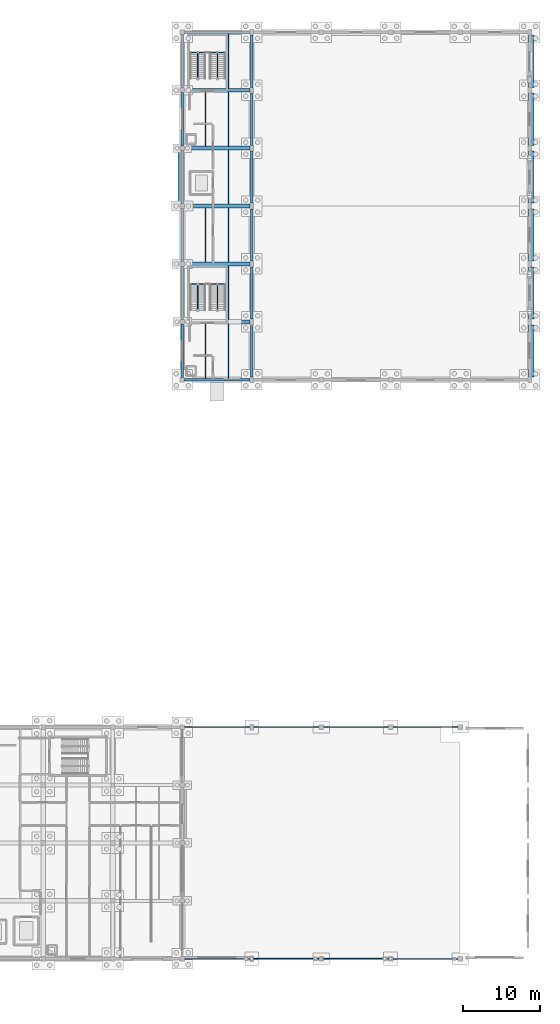
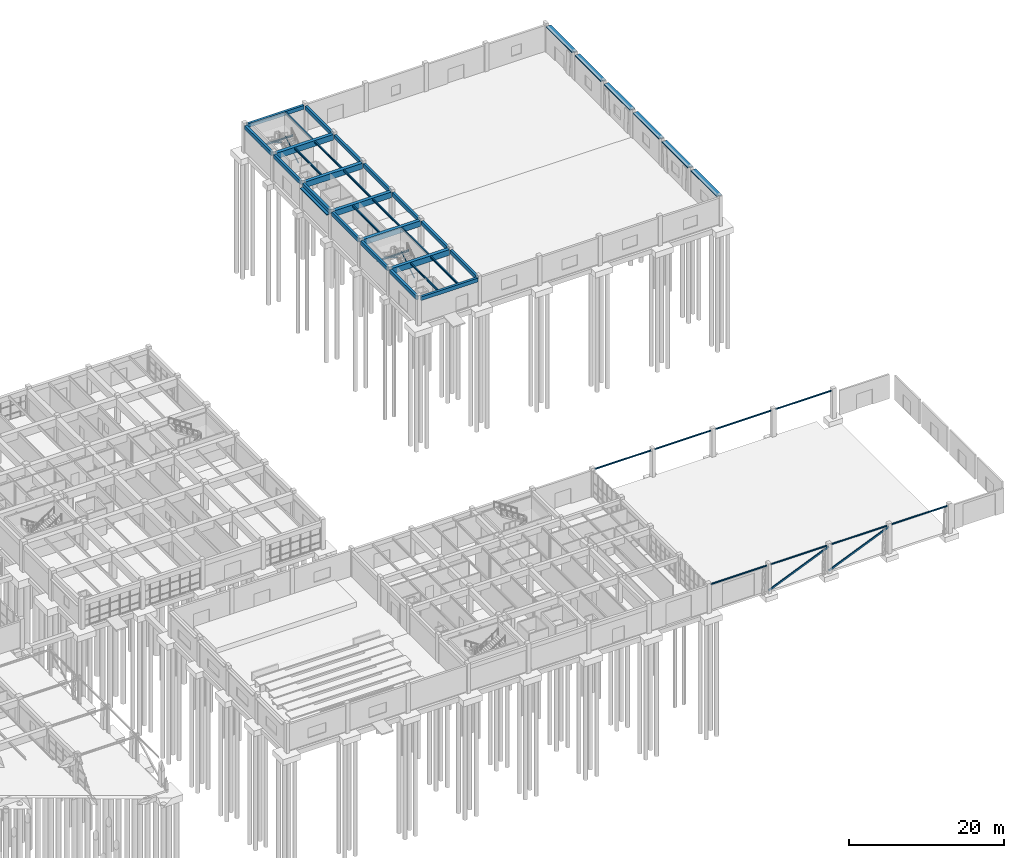
# One storey, part 39 of 93: 38 beams, 13 members.
"""IFC4 building model written with IfcOpenShell, lengths in metres."""

from ifc_helpers import new_model, si_unit, direction, frame, origin, origin_2d, place, context, subcontext, project, spatial, rectangle, hollow_rectangle, i_section, extrude, material, material_profile, profile_set, type_object, element, save


model = new_model("IFC4")

# Units and contexts
model_context = context("Model", 3, precision=1e-05, world=origin(), true_north=direction((0.0, 1.0)))
body_context = subcontext(model_context, "Body", "Model", "MODEL_VIEW")
ifc_project = project(units=[si_unit("LENGTHUNIT", "METRE"), si_unit("AREAUNIT", "SQUARE_METRE"), si_unit("VOLUMEUNIT", "CUBIC_METRE"), si_unit("PLANEANGLEUNIT", "RADIAN"), si_unit("MASSUNIT", "GRAM", prefix="KILO")], contexts=[model_context])

# Site, building, storey
site_placement = place(None, origin())
site = spatial("IfcSite", under=ifc_project, at=site_placement, CompositionType="ELEMENT")
building_placement = place(site_placement, origin())
building = spatial("IfcBuilding", under=site, at=building_placement, Name="Marnridge Secondary College", CompositionType="ELEMENT")
storey_placement = place(building_placement, origin())
storey = spatial("IfcBuildingStorey", under=building, at=storey_placement, Name="L00", CompositionType="ELEMENT", Elevation=0.0)

# Beams
ifc_material_1 = material(Name="Concrete C32/40 (AS 3600 N32, 32 MPa)", Category="concrete")
ifc_material_profile_1 = material_profile(ifc_material_1, rectangle(XDim=0.35009765625, YDim=0.60009765625, at=origin_2d()), Name="RC 350x600")
ifc_profile_set_1 = profile_set([ifc_material_profile_1], Name="Concrete C32/40 (AS 3600 N32, 32 MPa)")
beam_type_1 = type_object("IfcBeamType", Name="BM-RC3560-EXT", PredefinedType="SPANDREL", material=ifc_profile_set_1)
beam_1_placement = place(storey_placement, frame((126.2939453125, 75.0, 3.800048828125), z_axis=(1.0, 0.0, 0.0), x_axis=(0.0, 1.0, 0.0)))
element("IfcBeam", 1, at=beam_1_placement, inside=storey, type_object=beam_type_1, Name="Beam BS-L00-0136", PredefinedType="SPANDREL", context=body_context, shape_type="SweptSolid", body=[
    extrude(rectangle(XDim=0.35009765625, YDim=0.60009765625, at=origin_2d()), origin(), (0.0, 0.0, 1.0), 8.487060546875),
])
beam_2_placement = place(storey_placement, frame((126.0, 75.2939453125, 3.800048828125), z_axis=(0.0, 1.0, 0.0), x_axis=(-1.0, 0.0, 0.0)))
element("IfcBeam", 2, at=beam_2_placement, inside=storey, type_object=beam_type_1, Name="Beam BS-L00-0138", PredefinedType="SPANDREL", context=body_context, shape_type="SweptSolid", body=[
    extrude(rectangle(XDim=0.35009765625, YDim=0.60009765625, at=origin_2d()), origin(), (0.0, 0.0, 1.0), 6.912109375),
])
beam_3_placement = place(storey_placement, frame((135.0, 75.368896484375, 3.800048828125), z_axis=(0.0, 1.0, 0.0), x_axis=(-1.0, 0.0, 0.0)))
element("IfcBeam", 3, at=beam_3_placement, inside=storey, type_object=beam_type_1, Name="Beam BS-L00-0139", PredefinedType="SPANDREL", context=body_context, shape_type="SweptSolid", body=[
    extrude(rectangle(XDim=0.35009765625, YDim=0.60009765625, at=origin_2d()), origin(), (0.0, 0.0, 1.0), 6.76220703125),
])
beam_4_placement = place(storey_placement, frame((126.0, 82.7939453125, 3.800048828125), z_axis=(0.0, 1.0, 0.0), x_axis=(-1.0, 0.0, 0.0)))
element("IfcBeam", 4, at=beam_4_placement, inside=storey, type_object=beam_type_1, Name="Beam BS-L00-0141", PredefinedType="SPANDREL", context=body_context, shape_type="SweptSolid", body=[
    extrude(rectangle(XDim=0.35009765625, YDim=0.60009765625, at=origin_2d()), origin(), (0.0, 0.0, 1.0), 6.912109375),
])
beam_5_placement = place(storey_placement, frame((135.0, 82.868896484375, 3.800048828125), z_axis=(0.0, 1.0, 0.0), x_axis=(-1.0, 0.0, 0.0)))
element("IfcBeam", 5, at=beam_5_placement, inside=storey, type_object=beam_type_1, Name="Beam BS-L00-0142", PredefinedType="SPANDREL", context=body_context, shape_type="SweptSolid", body=[
    extrude(rectangle(XDim=0.35009765625, YDim=0.60009765625, at=origin_2d()), origin(), (0.0, 0.0, 1.0), 6.76220703125),
])
beam_6_placement = place(storey_placement, frame((126.0, 90.2939453125, 3.800048828125), z_axis=(0.0, 1.0, 0.0), x_axis=(-1.0, 0.0, 0.0)))
element("IfcBeam", 6, at=beam_6_placement, inside=storey, type_object=beam_type_1, Name="Beam BS-L00-0144", PredefinedType="SPANDREL", context=body_context, shape_type="SweptSolid", body=[
    extrude(rectangle(XDim=0.35009765625, YDim=0.60009765625, at=origin_2d()), origin(), (0.0, 0.0, 1.0), 6.912109375),
])
beam_7_placement = place(storey_placement, frame((135.0, 90.368896484375, 3.800048828125), z_axis=(0.0, 1.0, 0.0), x_axis=(-1.0, 0.0, 0.0)))
element("IfcBeam", 7, at=beam_7_placement, inside=storey, type_object=beam_type_1, Name="Beam BS-L00-0145", PredefinedType="SPANDREL", context=body_context, shape_type="SweptSolid", body=[
    extrude(rectangle(XDim=0.35009765625, YDim=0.60009765625, at=origin_2d()), origin(), (0.0, 0.0, 1.0), 6.76220703125),
])
beam_8_placement = place(storey_placement, frame((126.0, 97.7939453125, 3.800048828125), z_axis=(0.0, 1.0, 0.0), x_axis=(-1.0, 0.0, 0.0)))
element("IfcBeam", 8, at=beam_8_placement, inside=storey, type_object=beam_type_1, Name="Beam BS-L00-0147", PredefinedType="SPANDREL", context=body_context, shape_type="SweptSolid", body=[
    extrude(rectangle(XDim=0.35009765625, YDim=0.60009765625, at=origin_2d()), origin(), (0.0, 0.0, 1.0), 6.912109375),
])
beam_9_placement = place(storey_placement, frame((135.0, 97.868896484375, 3.800048828125), z_axis=(0.0, 1.0, 0.0), x_axis=(-1.0, 0.0, 0.0)))
element("IfcBeam", 9, at=beam_9_placement, inside=storey, type_object=beam_type_1, Name="Beam BS-L00-0148", PredefinedType="SPANDREL", context=body_context, shape_type="SweptSolid", body=[
    extrude(rectangle(XDim=0.35009765625, YDim=0.60009765625, at=origin_2d()), origin(), (0.0, 0.0, 1.0), 6.76220703125),
])
beam_10_placement = place(storey_placement, frame((126.0, 105.2939453125, 3.800048828125), z_axis=(0.0, 1.0, 0.0), x_axis=(-1.0, 0.0, 0.0)))
element("IfcBeam", 10, at=beam_10_placement, inside=storey, type_object=beam_type_1, Name="Beam BS-L00-0150", PredefinedType="SPANDREL", context=body_context, shape_type="SweptSolid", body=[
    extrude(rectangle(XDim=0.35009765625, YDim=0.60009765625, at=origin_2d()), origin(), (0.0, 0.0, 1.0), 6.912109375),
])
beam_11_placement = place(storey_placement, frame((135.0, 105.368896484375, 3.800048828125), z_axis=(0.0, 1.0, 0.0), x_axis=(-1.0, 0.0, 0.0)))
element("IfcBeam", 11, at=beam_11_placement, inside=storey, type_object=beam_type_1, Name="Beam BS-L00-0151", PredefinedType="SPANDREL", context=body_context, shape_type="SweptSolid", body=[
    extrude(rectangle(XDim=0.35009765625, YDim=0.60009765625, at=origin_2d()), origin(), (0.0, 0.0, 1.0), 6.76220703125),
])
beam_12_placement = place(storey_placement, frame((126.2939453125, 120.0, 3.800048828125), z_axis=(1.0, 0.0, 0.0), x_axis=(0.0, 1.0, 0.0)))
element("IfcBeam", 12, at=beam_12_placement, inside=storey, type_object=beam_type_1, Name="Beam BS-L00-0152", PredefinedType="SPANDREL", context=body_context, shape_type="SweptSolid", body=[
    extrude(rectangle(XDim=0.35009765625, YDim=0.60009765625, at=origin_2d()), origin(), (0.0, 0.0, 1.0), 8.487060546875),
])
beam_13_placement = place(storey_placement, frame((126.0, 112.7939453125, 3.800048828125), z_axis=(0.0, 1.0, 0.0), x_axis=(-1.0, 0.0, 0.0)))
element("IfcBeam", 13, at=beam_13_placement, inside=storey, type_object=beam_type_1, Name="Beam BS-L00-0153", PredefinedType="SPANDREL", context=body_context, shape_type="SweptSolid", body=[
    extrude(rectangle(XDim=0.35009765625, YDim=0.60009765625, at=origin_2d()), origin(), (0.0, 0.0, 1.0), 6.912109375),
])
beam_14_placement = place(storey_placement, frame((135.0, 112.868896484375, 3.800048828125), z_axis=(0.0, 1.0, 0.0), x_axis=(-1.0, 0.0, 0.0)))
element("IfcBeam", 14, at=beam_14_placement, inside=storey, type_object=beam_type_1, Name="Beam BS-L00-0154", PredefinedType="SPANDREL", context=body_context, shape_type="SweptSolid", body=[
    extrude(rectangle(XDim=0.35009765625, YDim=0.60009765625, at=origin_2d()), origin(), (0.0, 0.0, 1.0), 6.76220703125),
])
ifc_material_2 = material(Name="Concrete C40/50 (AS 3600 N40, 40 MPa)", Category="concrete")
ifc_material_profile_2 = material_profile(ifc_material_2, rectangle(XDim=0.5, YDim=0.89990234375, at=origin_2d()), Name="RC 500x900")
ifc_profile_set_2 = profile_set([ifc_material_profile_2], Name="Concrete C40/50 (AS 3600 N40, 40 MPa)")
beam_type_2 = type_object("IfcBeamType", Name="BM-RC5090-INT", PredefinedType="BEAM", material=ifc_profile_set_2)
for number, where, z_axis, x_axis, name in (
    (15, (126.2939453125, 82.5, 3.64990234375), (1.0, 0.0, 0.0), (0.0, 1.0, 0.0), "Beam B-L00-0137"),
    (16, (126.2939453125, 90.0, 3.64990234375), (1.0, 0.0, 0.0), (0.0, 1.0, 0.0), "Beam B-L00-0140"),
    (17, (126.2939453125, 97.5, 3.64990234375), (1.0, 0.0, 0.0), (0.0, 1.0, 0.0), "Beam B-L00-0143"),
    (18, (126.2939453125, 105.0, 3.64990234375), (1.0, 0.0, 0.0), (0.0, 1.0, 0.0), "Beam B-L00-0146"),
    (19, (126.2939453125, 112.5, 3.64990234375), (1.0, 0.0, 0.0), (0.0, 1.0, 0.0), "Beam B-L00-0149"),
):
    element("IfcBeam", number, at=place(storey_placement, frame(where, z_axis=z_axis, x_axis=x_axis)), inside=storey, type_object=beam_type_2, Name=name, PredefinedType="BEAM", context=body_context, shape_type="SweptSolid", body=[
        extrude(rectangle(XDim=0.5, YDim=0.89990234375, at=origin_2d()), origin(), (0.0, 0.0, 1.0), 8.487060546875),
    ])
ifc_material_3 = material(Name="Structural steel Grade 350 (AS/NZS 3679.1/.2, fy = 340-360 MPa)", Category="steel")
ifc_material_profile_3 = material_profile(ifc_material_3, i_section(OverallWidth=0.13330078125, OverallDepth=0.203125, WebThickness=0.005859375, FlangeThickness=0.0078125, FilletRadius=0.0087890625, at=origin_2d()), Name="200UB25.4")
ifc_profile_set_3 = profile_set([ifc_material_profile_3], Name="Structural steel Grade 350 (AS/NZS 3679.1/.2, fy = 340-360 MPa)")
beam_type_3 = type_object("IfcBeamType", Name="BM-UB200-EXT", PredefinedType="LINTEL", material=ifc_profile_set_3)
for number, where, z_axis, x_axis, name in (
    (20, (126.2939453125, 0.0, 4.078369140625), (1.0, 0.0, 0.0), (0.0, 1.0, 0.0), "Beam BL-L00-1469"),
    (21, (135.218994140625, 0.0, 4.078369140625), (1.0, 0.0, 0.0), (0.0, 1.0, 0.0), "Beam BL-L00-1470"),
):
    element("IfcBeam", number, at=place(storey_placement, frame(where, z_axis=z_axis, x_axis=x_axis)), inside=storey, type_object=beam_type_3, Name=name, PredefinedType="LINTEL", context=body_context, shape_type="SweptSolid", body=[
        extrude(i_section(OverallWidth=0.13330078125, OverallDepth=0.203125, WebThickness=0.005859375, FlangeThickness=0.0078125, FilletRadius=0.0087890625, at=origin_2d()), origin(), (0.0, 0.0, 1.0), 8.487060546875),
    ])
for number, where, z_axis, x_axis, name in (
    (22, (144.2939453125, 0.0, 4.078369140625), (1.0, 0.0, 0.0), (0.0, 1.0, 0.0), "Beam BL-L00-1471"),
    (23, (153.2939453125, 0.0, 4.078369140625), (1.0, 0.0, 0.0), (0.0, 1.0, 0.0), "Beam BL-L00-1472"),
):
    element("IfcBeam", number, at=place(storey_placement, frame(where, z_axis=z_axis, x_axis=x_axis)), inside=storey, type_object=beam_type_3, Name=name, PredefinedType="LINTEL", context=body_context, shape_type="SweptSolid", body=[
        extrude(i_section(OverallWidth=0.13330078125, OverallDepth=0.203125, WebThickness=0.005859375, FlangeThickness=0.0078125, FilletRadius=0.0087890625, at=origin_2d()), origin(), (0.0, 0.0, 1.0), 8.412109375),
    ])
for number, where, z_axis, x_axis, name in (
    (24, (126.2939453125, 30.0, 4.078369140625), (1.0, 0.0, 0.0), (0.0, 1.0, 0.0), "Beam BL-L00-1473"),
    (25, (135.218994140625, 30.0, 4.078369140625), (1.0, 0.0, 0.0), (0.0, 1.0, 0.0), "Beam BL-L00-1474"),
):
    element("IfcBeam", number, at=place(storey_placement, frame(where, z_axis=z_axis, x_axis=x_axis)), inside=storey, type_object=beam_type_3, Name=name, PredefinedType="LINTEL", context=body_context, shape_type="SweptSolid", body=[
        extrude(i_section(OverallWidth=0.13330078125, OverallDepth=0.203125, WebThickness=0.005859375, FlangeThickness=0.0078125, FilletRadius=0.0087890625, at=origin_2d()), origin(), (0.0, 0.0, 1.0), 8.487060546875),
    ])
for number, where, z_axis, x_axis, name in (
    (26, (144.2939453125, 30.0, 4.078369140625), (1.0, 0.0, 0.0), (0.0, 1.0, 0.0), "Beam BL-L00-1475"),
    (27, (153.2939453125, 30.0, 4.078369140625), (1.0, 0.0, 0.0), (0.0, 1.0, 0.0), "Beam BL-L00-1476"),
):
    element("IfcBeam", number, at=place(storey_placement, frame(where, z_axis=z_axis, x_axis=x_axis)), inside=storey, type_object=beam_type_3, Name=name, PredefinedType="LINTEL", context=body_context, shape_type="SweptSolid", body=[
        extrude(i_section(OverallWidth=0.13330078125, OverallDepth=0.203125, WebThickness=0.005859375, FlangeThickness=0.0078125, FilletRadius=0.0087890625, at=origin_2d()), origin(), (0.0, 0.0, 1.0), 8.412109375),
    ])
ifc_material_4 = material(Name="Structural steel Grade 350 (AS/NZS 3679.1/.2, fy = 340-360 MPa)", Category="steel")
ifc_material_profile_4 = material_profile(ifc_material_4, i_section(OverallWidth=0.146240234375, OverallDepth=0.256103515625, WebThickness=0.00634765625, FlangeThickness=0.010986328125, FilletRadius=0.0087890625, at=origin_2d()), Name="250UB37.3")
ifc_profile_set_4 = profile_set([ifc_material_profile_4], Name="Structural steel Grade 350 (AS/NZS 3679.1/.2, fy = 340-360 MPa)")
beam_type_4 = type_object("IfcBeamType", Name="BM-UB250-EXT", PredefinedType="LINTEL", material=ifc_profile_set_4)
for number, where, z_axis, x_axis, name in (
    (28, (126.89208984375, 87.3798828125, 1.921875), (1.0, 0.0, 0.0), (0.0, 1.0, 0.0), "Stair landing trimmer beam BT-L00-057"),
    (29, (126.89208984375, 117.3798828125, 1.921875), (1.0, 0.0, 0.0), (0.0, 1.0, 0.0), "Stair landing trimmer beam BT-L00-059"),
):
    element("IfcBeam", number, at=place(storey_placement, frame(where, z_axis=z_axis, x_axis=x_axis)), inside=storey, type_object=beam_type_4, Name=name, PredefinedType="LINTEL", context=body_context, shape_type="SweptSolid", body=[
        extrude(i_section(OverallWidth=0.146240234375, OverallDepth=0.256103515625, WebThickness=0.00634765625, FlangeThickness=0.010986328125, FilletRadius=0.0087890625, at=origin_2d()), origin(), (0.0, 0.0, 1.0), 4.802978515625),
    ])
ifc_material_5 = material(Name="Structural steel Grade 350 (AS/NZS 3679.1/.2, fy = 340-360 MPa)", Category="steel")
ifc_material_profile_5 = material_profile(ifc_material_5, i_section(OverallWidth=0.1650390625, OverallDepth=0.303955078125, WebThickness=0.006103515625, FlangeThickness=0.01025390625, FilletRadius=0.011474609375, at=origin_2d()), Name="310UB40.4")
ifc_profile_set_5 = profile_set([ifc_material_profile_5], Name="Structural steel Grade 350 (AS/NZS 3679.1/.2, fy = 340-360 MPa)")
beam_type_5 = type_object("IfcBeamType", Name="BM-UB310-INT", PredefinedType="BEAM", material=ifc_profile_set_5)
for number, where, z_axis, x_axis, name in (
    (30, (129.0, 75.1689453125, 3.947998046875), (0.0, 1.0, 0.0), (-1.0, 0.0, 0.0), "Beam BJ-L00-0155"),
    (31, (132.0, 75.1689453125, 3.947998046875), (0.0, 1.0, 0.0), (-1.0, 0.0, 0.0), "Beam BJ-L00-0156"),
):
    element("IfcBeam", number, at=place(storey_placement, frame(where, z_axis=z_axis, x_axis=x_axis)), inside=storey, type_object=beam_type_5, Name=name, PredefinedType="BEAM", context=body_context, shape_type="SweptSolid", body=[
        extrude(i_section(OverallWidth=0.1650390625, OverallDepth=0.303955078125, WebThickness=0.006103515625, FlangeThickness=0.01025390625, FilletRadius=0.011474609375, at=origin_2d()), origin(), (0.0, 0.0, 1.0), 7.087158203125),
    ])
for number, where, z_axis, x_axis, name in (
    (32, (132.0, 82.743896484375, 3.947998046875), (0.0, 1.0, 0.0), (-1.0, 0.0, 0.0), "Beam BJ-L00-0157"),
    (33, (129.0, 90.243896484375, 3.947998046875), (0.0, 1.0, 0.0), (-1.0, 0.0, 0.0), "Beam BJ-L00-0158"),
    (34, (132.0, 90.243896484375, 3.947998046875), (0.0, 1.0, 0.0), (-1.0, 0.0, 0.0), "Beam BJ-L00-0159"),
    (35, (132.0, 97.743896484375, 3.947998046875), (0.0, 1.0, 0.0), (-1.0, 0.0, 0.0), "Beam BJ-L00-0160"),
    (36, (129.0, 105.243896484375, 3.947998046875), (0.0, 1.0, 0.0), (-1.0, 0.0, 0.0), "Beam BJ-L00-0161"),
    (37, (132.0, 105.243896484375, 3.947998046875), (0.0, 1.0, 0.0), (-1.0, 0.0, 0.0), "Beam BJ-L00-0162"),
):
    element("IfcBeam", number, at=place(storey_placement, frame(where, z_axis=z_axis, x_axis=x_axis)), inside=storey, type_object=beam_type_5, Name=name, PredefinedType="BEAM", context=body_context, shape_type="SweptSolid", body=[
        extrude(i_section(OverallWidth=0.1650390625, OverallDepth=0.303955078125, WebThickness=0.006103515625, FlangeThickness=0.01025390625, FilletRadius=0.011474609375, at=origin_2d()), origin(), (0.0, 0.0, 1.0), 7.01220703125),
    ])
beam_15_placement = place(storey_placement, frame((132.0, 112.743896484375, 3.947998046875), z_axis=(0.0, 1.0, 0.0), x_axis=(-1.0, 0.0, 0.0)))
element("IfcBeam", 38, at=beam_15_placement, inside=storey, type_object=beam_type_5, Name="Beam BJ-L00-0163", PredefinedType="BEAM", context=body_context, shape_type="SweptSolid", body=[
    extrude(i_section(OverallWidth=0.1650390625, OverallDepth=0.303955078125, WebThickness=0.006103515625, FlangeThickness=0.01025390625, FilletRadius=0.011474609375, at=origin_2d()), origin(), (0.0, 0.0, 1.0), 7.087158203125),
])

# Members
ifc_material_6 = material(Name="Cold-formed steel Grade C350L0 (AS/NZS 1163, fy = 350 MPa)", Category="steel")
ifc_material_profile_6 = material_profile(ifc_material_6, hollow_rectangle(XDim=0.14990234375, YDim=0.25, WallThickness=0.009033203125, at=origin_2d()), Name="250x150x9.0RHS")
ifc_profile_set_6 = profile_set([ifc_material_profile_6], Name="Cold-formed steel Grade C350L0 (AS/NZS 1163, fy = 350 MPa)")
member_type_1 = type_object("IfcMemberType", Name="MB-BR-RHS250", PredefinedType="BRACE", material=ifc_profile_set_6)
for number, where, z_axis, x_axis, name in (
    (39, (135.0, 0.0, 0.050048828125), (0.921247770385, 0.0, 0.388976278918), (0.0, 1.0, 0.0), "Lateral brace BR-005"),
    (40, (144.0, 0.0, 0.050048828125), (0.921247770385, 0.0, 0.388976278918), (0.0, 1.0, 0.0), "Lateral brace BR-006"),
):
    element("IfcMember", number, at=place(storey_placement, frame(where, z_axis=z_axis, x_axis=x_axis)), inside=storey, type_object=member_type_1, Name=name, PredefinedType="BRACE", context=body_context, shape_type="SweptSolid", body=[
        extrude(hollow_rectangle(XDim=0.14990234375, YDim=0.25, WallThickness=0.009033203125, at=origin_2d()), origin(), (0.0, 0.0, 1.0), 9.769287109375),
    ])
ifc_material_7 = material(Name="Precast concrete C40/50 (AS 3600 N40, 40 MPa)", Category="concrete")
ifc_material_profile_7 = material_profile(ifc_material_7, rectangle(XDim=0.139892578125, YDim=0.75, at=origin_2d()), Name="FIN PC 140x750")
ifc_profile_set_7 = profile_set([ifc_material_profile_7], Name="Precast concrete C40/50 (AS 3600 N40, 40 MPa)")
member_type_2 = type_object("IfcMemberType", Name="MB-FIN-PC750", PredefinedType="USERDEFINED", material=ifc_profile_set_7)
for number, where, z_axis, x_axis, name in (
    (41, (171.159912109375, 119.625, 4.02001953125), (0.0, -1.0, 0.0), (0.0, 0.0, 1.0), "Solar shading fin SFN-0004"),
    (42, (171.159912109375, 112.125, 4.02001953125), (0.0, -1.0, 0.0), (0.0, 0.0, 1.0), "Solar shading fin SFN-0005"),
    (43, (171.159912109375, 104.625, 4.02001953125), (0.0, -1.0, 0.0), (0.0, 0.0, 1.0), "Solar shading fin SFN-0006"),
    (44, (171.159912109375, 97.125, 4.02001953125), (0.0, -1.0, 0.0), (0.0, 0.0, 1.0), "Solar shading fin SFN-0007"),
    (45, (171.159912109375, 89.625, 4.02001953125), (0.0, -1.0, 0.0), (0.0, 0.0, 1.0), "Solar shading fin SFN-0008"),
    (46, (171.159912109375, 82.125, 4.02001953125), (0.0, -1.0, 0.0), (0.0, 0.0, 1.0), "Solar shading fin SFN-0009"),
):
    element("IfcMember", number, at=place(storey_placement, frame(where, z_axis=z_axis, x_axis=x_axis)), inside=storey, type_object=member_type_2, Name=name, ObjectType="SOLAR FIN", PredefinedType="USERDEFINED", context=body_context, shape_type="SweptSolid", body=[
        extrude(rectangle(XDim=0.139892578125, YDim=0.75, at=origin_2d()), origin(), (0.0, 0.0, 1.0), 6.75),
    ])
member_1_placement = place(storey_placement, frame((125.840087890625, 97.800048828125, 3.412109375), z_axis=(0.0, 1.0, 0.0), x_axis=(0.0, 0.0, 1.0)))
element("IfcMember", 47, at=member_1_placement, inside=storey, type_object=member_type_2, Name="Solar shading fin SFN-0010", ObjectType="SOLAR FIN", PredefinedType="USERDEFINED", context=body_context, shape_type="SweptSolid", body=[
    extrude(rectangle(XDim=0.139892578125, YDim=0.75, at=origin_2d()), origin(), (0.0, 0.0, 1.0), 6.89990234375),
])
ifc_material_8 = material(Name="Cold-formed steel Grade C350L0 (AS/NZS 1163, fy = 350 MPa)", Category="steel")
ifc_material_profile_8 = material_profile(ifc_material_8, hollow_rectangle(XDim=0.10009765625, YDim=0.199951171875, WallThickness=0.006103515625, at=origin_2d()), Name="200x100x6.0RHS")
ifc_profile_set_8 = profile_set([ifc_material_profile_8], Name="Cold-formed steel Grade C350L0 (AS/NZS 1163, fy = 350 MPa)")
member_type_3 = type_object("IfcMemberType", Name="MB-STR-RHS200", PredefinedType="STRINGER", material=ifc_profile_set_8)
member_2_placement = place(storey_placement, frame((130.580078125, 84.0, 0.014892578125), z_axis=(0.0, 0.846331852098, 0.532655982905), x_axis=(-1.0, 0.0, 0.0)))
element("IfcMember", 48, at=member_2_placement, inside=storey, type_object=member_type_3, Name="Stair stringer STR-057", PredefinedType="STRINGER", context=body_context, shape_type="SweptSolid", body=[
    extrude(hollow_rectangle(XDim=0.10009765625, YDim=0.199951171875, WallThickness=0.006103515625, at=origin_2d()), origin(), (0.0, 0.0, 1.0), 3.99365234375),
])
member_3_placement = place(storey_placement, frame((128.02001953125, 87.3798828125, 2.14208984375), z_axis=(0.0, -0.855041830792, 0.518559030001), x_axis=(1.0, 0.0, 0.0)))
element("IfcMember", 49, at=member_3_placement, inside=storey, type_object=member_type_3, Name="Stair stringer STR-058", PredefinedType="STRINGER", context=body_context, shape_type="SweptSolid", body=[
    extrude(hollow_rectangle(XDim=0.10009765625, YDim=0.199951171875, WallThickness=0.006103515625, at=origin_2d()), origin(), (0.0, 0.0, 1.0), 3.952880859375),
])
member_4_placement = place(storey_placement, frame((130.580078125, 114.0, 0.014892578125), z_axis=(0.0, 0.846331852098, 0.532655982905), x_axis=(-1.0, 0.0, 0.0)))
element("IfcMember", 50, at=member_4_placement, inside=storey, type_object=member_type_3, Name="Stair stringer STR-059", PredefinedType="STRINGER", context=body_context, shape_type="SweptSolid", body=[
    extrude(hollow_rectangle(XDim=0.10009765625, YDim=0.199951171875, WallThickness=0.006103515625, at=origin_2d()), origin(), (0.0, 0.0, 1.0), 3.99365234375),
])
member_5_placement = place(storey_placement, frame((128.02001953125, 117.3798828125, 2.14208984375), z_axis=(0.0, -0.855041830792, 0.518559030001), x_axis=(1.0, 0.0, 0.0)))
element("IfcMember", 51, at=member_5_placement, inside=storey, type_object=member_type_3, Name="Stair stringer STR-060", PredefinedType="STRINGER", context=body_context, shape_type="SweptSolid", body=[
    extrude(hollow_rectangle(XDim=0.10009765625, YDim=0.199951171875, WallThickness=0.006103515625, at=origin_2d()), origin(), (0.0, 0.0, 1.0), 3.952880859375),
])

save(model, "model.ifc")
